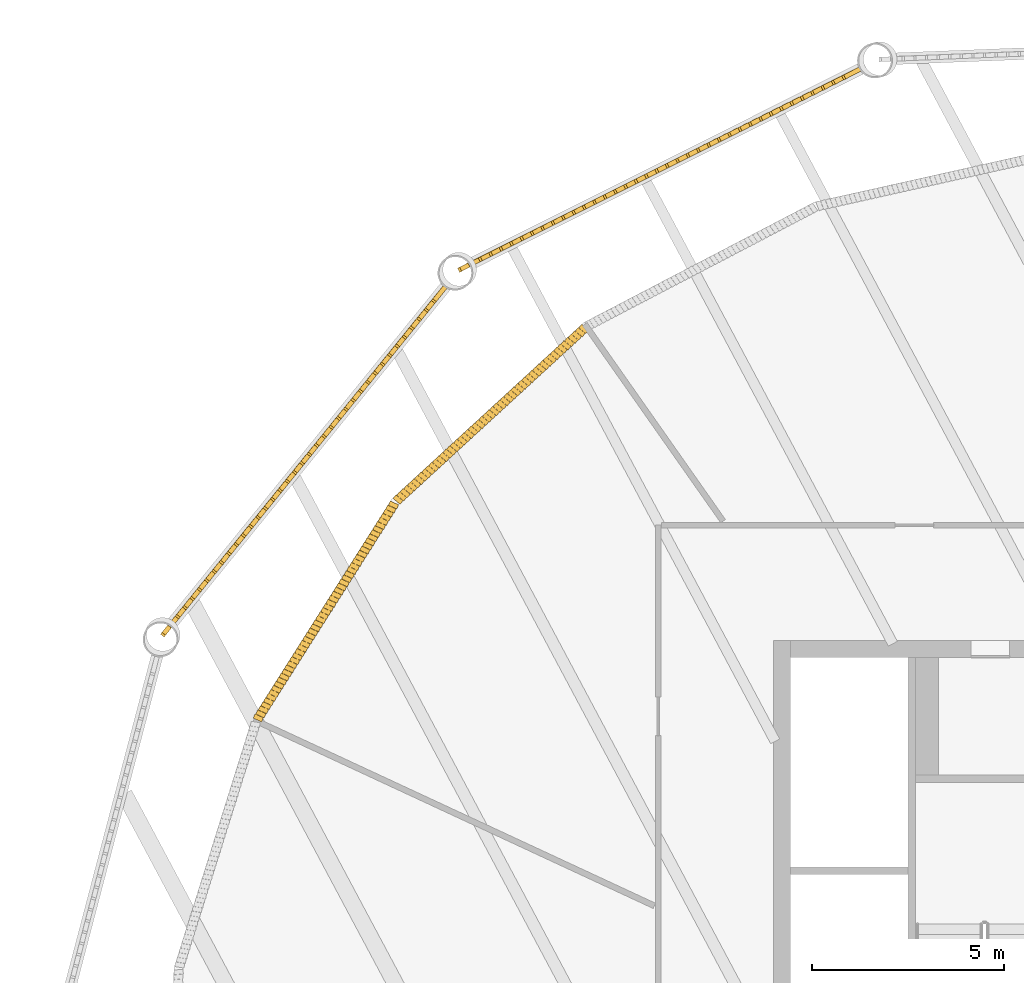
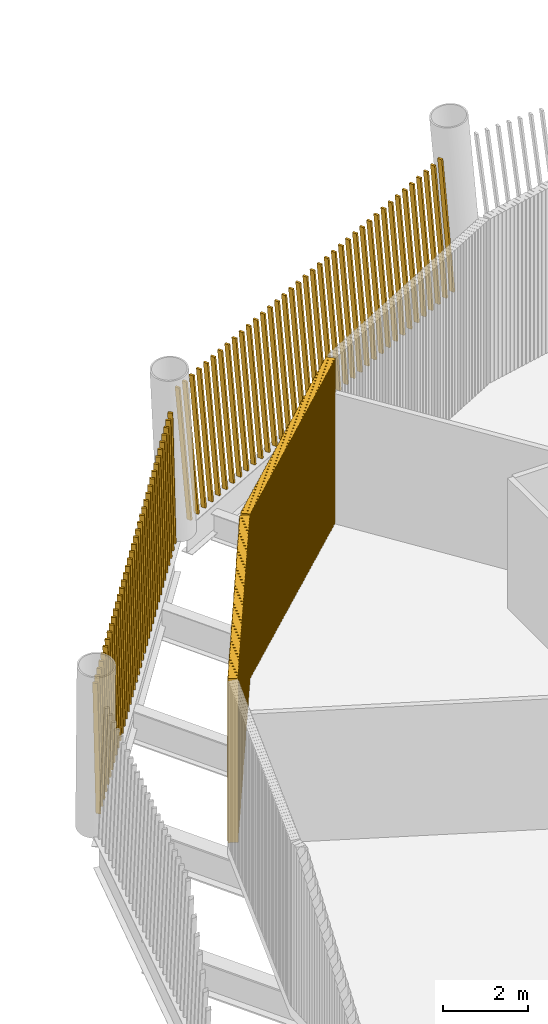
# One storey, part 15 of 21: 4 shading devices.
"""IFC4 building model written with IfcOpenShell, lengths in metres."""

from ifc_helpers import new_model, si_unit, direction, frame, frame_2d, origin, place, context, subcontext, project, spatial, rectangle, composite_profile, extrude, material, type_object, element, save


model = new_model("IFC4")

# Units and contexts
model_context = context("Model", 3, precision=1e-05, world=origin(), true_north=direction((0.0, 1.0)))
body_context = subcontext(model_context, "Body", "Model", "MODEL_VIEW")
ifc_project = project(units=[si_unit("LENGTHUNIT", "METRE"), si_unit("AREAUNIT", "SQUARE_METRE"), si_unit("VOLUMEUNIT", "CUBIC_METRE"), si_unit("PLANEANGLEUNIT", "RADIAN"), si_unit("MASSUNIT", "GRAM", prefix="KILO")], contexts=[model_context])

# Site, building, storey
site_placement = place(None, origin())
site = spatial("IfcSite", under=ifc_project, at=site_placement, CompositionType="ELEMENT")
building_placement = place(site_placement, origin())
building = spatial("IfcBuilding", under=site, at=building_placement, Name="Tarsis Ring Headquarters", CompositionType="ELEMENT")
storey_placement = place(building_placement, frame((0.0, 0.0, 398.60009765625)))
storey = spatial("IfcBuildingStorey", under=building, at=storey_placement, Name="L94", CompositionType="ELEMENT", Elevation=398.60009765625)

# Shading devices
ifc_material_1 = material(Name="Aluminium louvre", Category="aluminium")
shading_device_type_1 = type_object("IfcShadingDeviceType", Name="Plant louvre fin", PredefinedType="USERDEFINED", material=ifc_material_1)
shading_device_1_placement = place(storey_placement, frame((-14.88232421875, 21.162841796875, 0.0), z_axis=(0.0, 0.0, 1.0), x_axis=(-0.736333587592, -0.676619083942, 0.0)))
element("IfcShadingDevice", 1, at=shading_device_1_placement, inside=storey, type_object=shading_device_type_1, Name="Louvre L94-27", ObjectType="Louvre", PredefinedType="USERDEFINED", context=body_context, shape_type="SweptSolid", body=[
    extrude(composite_profile([rectangle(XDim=0.1201171875, YDim=0.239990234375, at=frame_2d((0.076171875, 0.0), x_axis=(0.990268068742, 0.13917310096))), rectangle(XDim=0.1201171875, YDim=0.239990234375, at=frame_2d((0.202392578125, 0.0), x_axis=(0.990268068742, 0.13917310096))), rectangle(XDim=0.1201171875, YDim=0.239990234375, at=frame_2d((0.328857421875, 0.0), x_axis=(0.990268068742, 0.13917310096))), rectangle(XDim=0.1201171875, YDim=0.239990234375, at=frame_2d((0.455078125, 0.0), x_axis=(0.990268068742, 0.13917310096))), rectangle(XDim=0.1201171875, YDim=0.239990234375, at=frame_2d((0.58154296875, 0.0), x_axis=(0.990268068742, 0.13917310096))), rectangle(XDim=0.1201171875, YDim=0.239990234375, at=frame_2d((0.707763671875, 0.0), x_axis=(0.990268068742, 0.13917310096))), rectangle(XDim=0.1201171875, YDim=0.239990234375, at=frame_2d((0.834228515625, 0.0), x_axis=(0.990268068742, 0.13917310096))), rectangle(XDim=0.1201171875, YDim=0.239990234375, at=frame_2d((0.96044921875, 0.0), x_axis=(0.990268068742, 0.13917310096))), rectangle(XDim=0.1201171875, YDim=0.239990234375, at=frame_2d((1.0869140625, 0.0), x_axis=(0.990268068742, 0.13917310096))), rectangle(XDim=0.1201171875, YDim=0.239990234375, at=frame_2d((1.213134765625, 0.0), x_axis=(0.990268068742, 0.13917310096))), rectangle(XDim=0.1201171875, YDim=0.239990234375, at=frame_2d((1.33935546875, 0.0), x_axis=(0.990268068742, 0.13917310096))), rectangle(XDim=0.1201171875, YDim=0.239990234375, at=frame_2d((1.4658203125, 0.0), x_axis=(0.990268068742, 0.13917310096))), rectangle(XDim=0.1201171875, YDim=0.239990234375, at=frame_2d((1.592041015625, 0.0), x_axis=(0.990268068742, 0.13917310096))), rectangle(XDim=0.1201171875, YDim=0.239990234375, at=frame_2d((1.718505859375, 0.0), x_axis=(0.990268068742, 0.13917310096))), rectangle(XDim=0.1201171875, YDim=0.239990234375, at=frame_2d((1.8447265625, 0.0), x_axis=(0.990268068742, 0.13917310096))), rectangle(XDim=0.1201171875, YDim=0.239990234375, at=frame_2d((1.97119140625, 0.0), x_axis=(0.990268068742, 0.13917310096))), rectangle(XDim=0.1201171875, YDim=0.239990234375, at=frame_2d((2.097412109375, 0.0), x_axis=(0.990268068742, 0.13917310096))), rectangle(XDim=0.1201171875, YDim=0.239990234375, at=frame_2d((2.223876953125, 0.0), x_axis=(0.990268068742, 0.13917310096))), rectangle(XDim=0.1201171875, YDim=0.239990234375, at=frame_2d((2.35009765625, 0.0), x_axis=(0.990268068742, 0.13917310096))), rectangle(XDim=0.1201171875, YDim=0.239990234375, at=frame_2d((2.476318359375, 0.0), x_axis=(0.990268068742, 0.13917310096))), rectangle(XDim=0.1201171875, YDim=0.239990234375, at=frame_2d((2.602783203125, 0.0), x_axis=(0.990268068742, 0.13917310096))), rectangle(XDim=0.1201171875, YDim=0.239990234375, at=frame_2d((2.72900390625, 0.0), x_axis=(0.990268068742, 0.13917310096))), rectangle(XDim=0.1201171875, YDim=0.239990234375, at=frame_2d((2.85546875, 0.0), x_axis=(0.990268068742, 0.13917310096))), rectangle(XDim=0.1201171875, YDim=0.239990234375, at=frame_2d((2.981689453125, 0.0), x_axis=(0.990268068742, 0.13917310096))), rectangle(XDim=0.1201171875, YDim=0.239990234375, at=frame_2d((3.108154296875, 0.0), x_axis=(0.990268068742, 0.13917310096))), rectangle(XDim=0.1201171875, YDim=0.239990234375, at=frame_2d((3.234375, 0.0), x_axis=(0.990268068742, 0.13917310096))), rectangle(XDim=0.1201171875, YDim=0.239990234375, at=frame_2d((3.36083984375, 0.0), x_axis=(0.990268068742, 0.13917310096))), rectangle(XDim=0.1201171875, YDim=0.239990234375, at=frame_2d((3.487060546875, 0.0), x_axis=(0.990268068742, 0.13917310096))), rectangle(XDim=0.1201171875, YDim=0.239990234375, at=frame_2d((3.61328125, 0.0), x_axis=(0.990268068742, 0.13917310096))), rectangle(XDim=0.1201171875, YDim=0.239990234375, at=frame_2d((3.73974609375, 0.0), x_axis=(0.990268068742, 0.13917310096))), rectangle(XDim=0.1201171875, YDim=0.239990234375, at=frame_2d((3.865966796875, 0.0), x_axis=(0.990268068742, 0.13917310096))), rectangle(XDim=0.1201171875, YDim=0.239990234375, at=frame_2d((3.992431640625, 0.0), x_axis=(0.990268068742, 0.13917310096))), rectangle(XDim=0.1201171875, YDim=0.239990234375, at=frame_2d((4.11865234375, 0.0), x_axis=(0.990268068742, 0.13917310096))), rectangle(XDim=0.1201171875, YDim=0.239990234375, at=frame_2d((4.2451171875, 0.0), x_axis=(0.990268068742, 0.13917310096))), rectangle(XDim=0.1201171875, YDim=0.239990234375, at=frame_2d((4.371337890625, 0.0), x_axis=(0.990268068742, 0.13917310096))), rectangle(XDim=0.1201171875, YDim=0.239990234375, at=frame_2d((4.49755859375, 0.0), x_axis=(0.990268068742, 0.13917310096))), rectangle(XDim=0.1201171875, YDim=0.239990234375, at=frame_2d((4.6240234375, 0.0), x_axis=(0.990268068742, 0.13917310096))), rectangle(XDim=0.1201171875, YDim=0.239990234375, at=frame_2d((4.750244140625, 0.0), x_axis=(0.990268068742, 0.13917310096))), rectangle(XDim=0.1201171875, YDim=0.239990234375, at=frame_2d((4.876708984375, 0.0), x_axis=(0.990268068742, 0.13917310096))), rectangle(XDim=0.1201171875, YDim=0.239990234375, at=frame_2d((5.0029296875, 0.0), x_axis=(0.990268068742, 0.13917310096))), rectangle(XDim=0.1201171875, YDim=0.239990234375, at=frame_2d((5.12939453125, 0.0), x_axis=(0.990268068742, 0.13917310096))), rectangle(XDim=0.1201171875, YDim=0.239990234375, at=frame_2d((5.255615234375, 0.0), x_axis=(0.990268068742, 0.13917310096))), rectangle(XDim=0.1201171875, YDim=0.239990234375, at=frame_2d((5.382080078125, 0.0), x_axis=(0.990268068742, 0.13917310096))), rectangle(XDim=0.1201171875, YDim=0.239990234375, at=frame_2d((5.50830078125, 0.0), x_axis=(0.990268068742, 0.13917310096))), rectangle(XDim=0.1201171875, YDim=0.239990234375, at=frame_2d((5.634521484375, 0.0), x_axis=(0.990268068742, 0.13917310096))), rectangle(XDim=0.1201171875, YDim=0.239990234375, at=frame_2d((5.760986328125, 0.0), x_axis=(0.990268068742, 0.13917310096))), rectangle(XDim=0.1201171875, YDim=0.239990234375, at=frame_2d((5.88720703125, 0.0), x_axis=(0.990268068742, 0.13917310096))), rectangle(XDim=0.1201171875, YDim=0.239990234375, at=frame_2d((6.013671875, 0.0), x_axis=(0.990268068742, 0.13917310096))), rectangle(XDim=0.1201171875, YDim=0.239990234375, at=frame_2d((6.139892578125, 0.0), x_axis=(0.990268068742, 0.13917310096))), rectangle(XDim=0.1201171875, YDim=0.239990234375, at=frame_2d((6.266357421875, 0.0), x_axis=(0.990268068742, 0.13917310096))), rectangle(XDim=0.1201171875, YDim=0.239990234375, at=frame_2d((6.392578125, 0.0), x_axis=(0.990268068742, 0.13917310096))), rectangle(XDim=0.1201171875, YDim=0.239990234375, at=frame_2d((6.51904296875, 0.0), x_axis=(0.990268068742, 0.13917310096))), rectangle(XDim=0.1201171875, YDim=0.239990234375, at=frame_2d((6.645263671875, 0.0), x_axis=(0.990268068742, 0.13917310096)))]), origin(), (0.0, 0.0, 1.0), 4.699951171875),
])
shading_device_2_placement = place(storey_placement, frame((-19.8525390625, 16.58984375, 0.0), z_axis=(0.0, 0.0, 1.0), x_axis=(-0.536122915986, -0.844139333842, 0.0)))
element("IfcShadingDevice", 2, at=shading_device_2_placement, inside=storey, type_object=shading_device_type_1, Name="Louvre L94-28", ObjectType="Louvre", PredefinedType="USERDEFINED", context=body_context, shape_type="SweptSolid", body=[
    extrude(composite_profile([rectangle(XDim=0.1201171875, YDim=0.239990234375, at=frame_2d((0.076171875, 0.0), x_axis=(0.990268068742, 0.13917310096))), rectangle(XDim=0.1201171875, YDim=0.239990234375, at=frame_2d((0.202392578125, 0.0), x_axis=(0.990268068742, 0.13917310096))), rectangle(XDim=0.1201171875, YDim=0.239990234375, at=frame_2d((0.328857421875, 0.0), x_axis=(0.990268068742, 0.13917310096))), rectangle(XDim=0.1201171875, YDim=0.239990234375, at=frame_2d((0.455078125, 0.0), x_axis=(0.990268068742, 0.13917310096))), rectangle(XDim=0.1201171875, YDim=0.239990234375, at=frame_2d((0.58154296875, 0.0), x_axis=(0.990268068742, 0.13917310096))), rectangle(XDim=0.1201171875, YDim=0.239990234375, at=frame_2d((0.707763671875, 0.0), x_axis=(0.990268068742, 0.13917310096))), rectangle(XDim=0.1201171875, YDim=0.239990234375, at=frame_2d((0.834228515625, 0.0), x_axis=(0.990268068742, 0.13917310096))), rectangle(XDim=0.1201171875, YDim=0.239990234375, at=frame_2d((0.96044921875, 0.0), x_axis=(0.990268068742, 0.13917310096))), rectangle(XDim=0.1201171875, YDim=0.239990234375, at=frame_2d((1.0869140625, 0.0), x_axis=(0.990268068742, 0.13917310096))), rectangle(XDim=0.1201171875, YDim=0.239990234375, at=frame_2d((1.213134765625, 0.0), x_axis=(0.990268068742, 0.13917310096))), rectangle(XDim=0.1201171875, YDim=0.239990234375, at=frame_2d((1.33935546875, 0.0), x_axis=(0.990268068742, 0.13917310096))), rectangle(XDim=0.1201171875, YDim=0.239990234375, at=frame_2d((1.4658203125, 0.0), x_axis=(0.990268068742, 0.13917310096))), rectangle(XDim=0.1201171875, YDim=0.239990234375, at=frame_2d((1.592041015625, 0.0), x_axis=(0.990268068742, 0.13917310096))), rectangle(XDim=0.1201171875, YDim=0.239990234375, at=frame_2d((1.718505859375, 0.0), x_axis=(0.990268068742, 0.13917310096))), rectangle(XDim=0.1201171875, YDim=0.239990234375, at=frame_2d((1.8447265625, 0.0), x_axis=(0.990268068742, 0.13917310096))), rectangle(XDim=0.1201171875, YDim=0.239990234375, at=frame_2d((1.97119140625, 0.0), x_axis=(0.990268068742, 0.13917310096))), rectangle(XDim=0.1201171875, YDim=0.239990234375, at=frame_2d((2.097412109375, 0.0), x_axis=(0.990268068742, 0.13917310096))), rectangle(XDim=0.1201171875, YDim=0.239990234375, at=frame_2d((2.223876953125, 0.0), x_axis=(0.990268068742, 0.13917310096))), rectangle(XDim=0.1201171875, YDim=0.239990234375, at=frame_2d((2.35009765625, 0.0), x_axis=(0.990268068742, 0.13917310096))), rectangle(XDim=0.1201171875, YDim=0.239990234375, at=frame_2d((2.476318359375, 0.0), x_axis=(0.990268068742, 0.13917310096))), rectangle(XDim=0.1201171875, YDim=0.239990234375, at=frame_2d((2.602783203125, 0.0), x_axis=(0.990268068742, 0.13917310096))), rectangle(XDim=0.1201171875, YDim=0.239990234375, at=frame_2d((2.72900390625, 0.0), x_axis=(0.990268068742, 0.13917310096))), rectangle(XDim=0.1201171875, YDim=0.239990234375, at=frame_2d((2.85546875, 0.0), x_axis=(0.990268068742, 0.13917310096))), rectangle(XDim=0.1201171875, YDim=0.239990234375, at=frame_2d((2.981689453125, 0.0), x_axis=(0.990268068742, 0.13917310096))), rectangle(XDim=0.1201171875, YDim=0.239990234375, at=frame_2d((3.108154296875, 0.0), x_axis=(0.990268068742, 0.13917310096))), rectangle(XDim=0.1201171875, YDim=0.239990234375, at=frame_2d((3.234375, 0.0), x_axis=(0.990268068742, 0.13917310096))), rectangle(XDim=0.1201171875, YDim=0.239990234375, at=frame_2d((3.36083984375, 0.0), x_axis=(0.990268068742, 0.13917310096))), rectangle(XDim=0.1201171875, YDim=0.239990234375, at=frame_2d((3.487060546875, 0.0), x_axis=(0.990268068742, 0.13917310096))), rectangle(XDim=0.1201171875, YDim=0.239990234375, at=frame_2d((3.61328125, 0.0), x_axis=(0.990268068742, 0.13917310096))), rectangle(XDim=0.1201171875, YDim=0.239990234375, at=frame_2d((3.73974609375, 0.0), x_axis=(0.990268068742, 0.13917310096))), rectangle(XDim=0.1201171875, YDim=0.239990234375, at=frame_2d((3.865966796875, 0.0), x_axis=(0.990268068742, 0.13917310096))), rectangle(XDim=0.1201171875, YDim=0.239990234375, at=frame_2d((3.992431640625, 0.0), x_axis=(0.990268068742, 0.13917310096))), rectangle(XDim=0.1201171875, YDim=0.239990234375, at=frame_2d((4.11865234375, 0.0), x_axis=(0.990268068742, 0.13917310096))), rectangle(XDim=0.1201171875, YDim=0.239990234375, at=frame_2d((4.2451171875, 0.0), x_axis=(0.990268068742, 0.13917310096))), rectangle(XDim=0.1201171875, YDim=0.239990234375, at=frame_2d((4.371337890625, 0.0), x_axis=(0.990268068742, 0.13917310096))), rectangle(XDim=0.1201171875, YDim=0.239990234375, at=frame_2d((4.49755859375, 0.0), x_axis=(0.990268068742, 0.13917310096))), rectangle(XDim=0.1201171875, YDim=0.239990234375, at=frame_2d((4.6240234375, 0.0), x_axis=(0.990268068742, 0.13917310096))), rectangle(XDim=0.1201171875, YDim=0.239990234375, at=frame_2d((4.750244140625, 0.0), x_axis=(0.990268068742, 0.13917310096))), rectangle(XDim=0.1201171875, YDim=0.239990234375, at=frame_2d((4.876708984375, 0.0), x_axis=(0.990268068742, 0.13917310096))), rectangle(XDim=0.1201171875, YDim=0.239990234375, at=frame_2d((5.0029296875, 0.0), x_axis=(0.990268068742, 0.13917310096))), rectangle(XDim=0.1201171875, YDim=0.239990234375, at=frame_2d((5.12939453125, 0.0), x_axis=(0.990268068742, 0.13917310096))), rectangle(XDim=0.1201171875, YDim=0.239990234375, at=frame_2d((5.255615234375, 0.0), x_axis=(0.990268068742, 0.13917310096))), rectangle(XDim=0.1201171875, YDim=0.239990234375, at=frame_2d((5.382080078125, 0.0), x_axis=(0.990268068742, 0.13917310096))), rectangle(XDim=0.1201171875, YDim=0.239990234375, at=frame_2d((5.50830078125, 0.0), x_axis=(0.990268068742, 0.13917310096))), rectangle(XDim=0.1201171875, YDim=0.239990234375, at=frame_2d((5.634521484375, 0.0), x_axis=(0.990268068742, 0.13917310096))), rectangle(XDim=0.1201171875, YDim=0.239990234375, at=frame_2d((5.760986328125, 0.0), x_axis=(0.990268068742, 0.13917310096))), rectangle(XDim=0.1201171875, YDim=0.239990234375, at=frame_2d((5.88720703125, 0.0), x_axis=(0.990268068742, 0.13917310096))), rectangle(XDim=0.1201171875, YDim=0.239990234375, at=frame_2d((6.013671875, 0.0), x_axis=(0.990268068742, 0.13917310096))), rectangle(XDim=0.1201171875, YDim=0.239990234375, at=frame_2d((6.139892578125, 0.0), x_axis=(0.990268068742, 0.13917310096))), rectangle(XDim=0.1201171875, YDim=0.239990234375, at=frame_2d((6.266357421875, 0.0), x_axis=(0.990268068742, 0.13917310096))), rectangle(XDim=0.1201171875, YDim=0.239990234375, at=frame_2d((6.392578125, 0.0), x_axis=(0.990268068742, 0.13917310096))), rectangle(XDim=0.1201171875, YDim=0.239990234375, at=frame_2d((6.51904296875, 0.0), x_axis=(0.990268068742, 0.13917310096))), rectangle(XDim=0.1201171875, YDim=0.239990234375, at=frame_2d((6.645263671875, 0.0), x_axis=(0.990268068742, 0.13917310096)))]), origin(), (0.0, 0.0, 1.0), 4.699951171875),
])
ifc_material_2 = material(Name="Terracotta baguette", Category="masonry")
shading_device_type_2 = type_object("IfcShadingDeviceType", Name="Terracotta baguette screen", PredefinedType="USERDEFINED", material=ifc_material_2)
shading_device_3_placement = place(storey_placement, frame((-7.68212890625, 27.9091796875, 0.0), z_axis=(0.0, 0.0, 1.0), x_axis=(-0.894196544839, -0.447651705877, 0.0)))
element("IfcShadingDevice", 3, at=shading_device_3_placement, inside=storey, type_object=shading_device_type_2, Name="Baguette screen L94-10", ObjectType="Terracotta baguette screen", PredefinedType="USERDEFINED", context=body_context, shape_type="SweptSolid", body=[
    extrude(composite_profile([rectangle(XDim=0.06005859375, YDim=0.1201171875, at=frame_2d((0.030029296875, 0.0))), rectangle(XDim=0.06005859375, YDim=0.1201171875, at=frame_2d((0.33251953125, 0.0))), rectangle(XDim=0.06005859375, YDim=0.1201171875, at=frame_2d((0.634765625, 0.0))), rectangle(XDim=0.06005859375, YDim=0.1201171875, at=frame_2d((0.937255859375, 0.0))), rectangle(XDim=0.06005859375, YDim=0.1201171875, at=frame_2d((1.239501953125, 0.0))), rectangle(XDim=0.06005859375, YDim=0.1201171875, at=frame_2d((1.5419921875, 0.0))), rectangle(XDim=0.06005859375, YDim=0.1201171875, at=frame_2d((1.844482421875, 0.0))), rectangle(XDim=0.06005859375, YDim=0.1201171875, at=frame_2d((2.146728515625, 0.0))), rectangle(XDim=0.06005859375, YDim=0.1201171875, at=frame_2d((2.44921875, 0.0))), rectangle(XDim=0.06005859375, YDim=0.1201171875, at=frame_2d((2.751708984375, 0.0))), rectangle(XDim=0.06005859375, YDim=0.1201171875, at=frame_2d((3.053955078125, 0.0))), rectangle(XDim=0.06005859375, YDim=0.1201171875, at=frame_2d((3.3564453125, 0.0))), rectangle(XDim=0.06005859375, YDim=0.1201171875, at=frame_2d((3.65869140625, 0.0))), rectangle(XDim=0.06005859375, YDim=0.1201171875, at=frame_2d((3.961181640625, 0.0))), rectangle(XDim=0.06005859375, YDim=0.1201171875, at=frame_2d((4.263671875, 0.0))), rectangle(XDim=0.06005859375, YDim=0.1201171875, at=frame_2d((4.56591796875, 0.0))), rectangle(XDim=0.06005859375, YDim=0.1201171875, at=frame_2d((4.868408203125, 0.0))), rectangle(XDim=0.06005859375, YDim=0.1201171875, at=frame_2d((5.1708984375, 0.0))), rectangle(XDim=0.06005859375, YDim=0.1201171875, at=frame_2d((5.47314453125, 0.0))), rectangle(XDim=0.06005859375, YDim=0.1201171875, at=frame_2d((5.775634765625, 0.0))), rectangle(XDim=0.06005859375, YDim=0.1201171875, at=frame_2d((6.077880859375, 0.0))), rectangle(XDim=0.06005859375, YDim=0.1201171875, at=frame_2d((6.38037109375, 0.0))), rectangle(XDim=0.06005859375, YDim=0.1201171875, at=frame_2d((6.682861328125, 0.0))), rectangle(XDim=0.06005859375, YDim=0.1201171875, at=frame_2d((6.985107421875, 0.0))), rectangle(XDim=0.06005859375, YDim=0.1201171875, at=frame_2d((7.28759765625, 0.0))), rectangle(XDim=0.06005859375, YDim=0.1201171875, at=frame_2d((7.590087890625, 0.0))), rectangle(XDim=0.06005859375, YDim=0.1201171875, at=frame_2d((7.892333984375, 0.0))), rectangle(XDim=0.06005859375, YDim=0.1201171875, at=frame_2d((8.19482421875, 0.0))), rectangle(XDim=0.06005859375, YDim=0.1201171875, at=frame_2d((8.4970703125, 0.0))), rectangle(XDim=0.06005859375, YDim=0.1201171875, at=frame_2d((8.799560546875, 0.0))), rectangle(XDim=0.06005859375, YDim=0.1201171875, at=frame_2d((9.10205078125, 0.0))), rectangle(XDim=0.06005859375, YDim=0.1201171875, at=frame_2d((9.404296875, 0.0))), rectangle(XDim=0.06005859375, YDim=0.1201171875, at=frame_2d((9.706787109375, 0.0))), rectangle(XDim=0.06005859375, YDim=0.1201171875, at=frame_2d((10.00927734375, 0.0))), rectangle(XDim=0.06005859375, YDim=0.1201171875, at=frame_2d((10.3115234375, 0.0))), rectangle(XDim=0.06005859375, YDim=0.1201171875, at=frame_2d((10.614013671875, 0.0))), rectangle(XDim=0.06005859375, YDim=0.1201171875, at=frame_2d((10.916259765625, 0.0))), rectangle(XDim=0.06005859375, YDim=0.1201171875, at=frame_2d((11.21875, 0.0)))]), origin(), (0.124851456803, 0.001133786435, 0.992174797232), 4.1279296875),
])
shading_device_4_placement = place(storey_placement, frame((-18.503173828125, 22.261474609375, 0.0), z_axis=(0.0, 0.0, 1.0), x_axis=(-0.630189907759, -0.776451437873, 0.0)))
element("IfcShadingDevice", 4, at=shading_device_4_placement, inside=storey, type_object=shading_device_type_2, Name="Baguette screen L94-11", ObjectType="Terracotta baguette screen", PredefinedType="USERDEFINED", context=body_context, shape_type="SweptSolid", body=[
    extrude(composite_profile([rectangle(XDim=0.06005859375, YDim=0.1201171875, at=frame_2d((0.030029296875, 0.0))), rectangle(XDim=0.06005859375, YDim=0.1201171875, at=frame_2d((0.33251953125, 0.0))), rectangle(XDim=0.06005859375, YDim=0.1201171875, at=frame_2d((0.634765625, 0.0))), rectangle(XDim=0.06005859375, YDim=0.1201171875, at=frame_2d((0.937255859375, 0.0))), rectangle(XDim=0.06005859375, YDim=0.1201171875, at=frame_2d((1.239501953125, 0.0))), rectangle(XDim=0.06005859375, YDim=0.1201171875, at=frame_2d((1.5419921875, 0.0))), rectangle(XDim=0.06005859375, YDim=0.1201171875, at=frame_2d((1.844482421875, 0.0))), rectangle(XDim=0.06005859375, YDim=0.1201171875, at=frame_2d((2.146728515625, 0.0))), rectangle(XDim=0.06005859375, YDim=0.1201171875, at=frame_2d((2.44921875, 0.0))), rectangle(XDim=0.06005859375, YDim=0.1201171875, at=frame_2d((2.751708984375, 0.0))), rectangle(XDim=0.06005859375, YDim=0.1201171875, at=frame_2d((3.053955078125, 0.0))), rectangle(XDim=0.06005859375, YDim=0.1201171875, at=frame_2d((3.3564453125, 0.0))), rectangle(XDim=0.06005859375, YDim=0.1201171875, at=frame_2d((3.65869140625, 0.0))), rectangle(XDim=0.06005859375, YDim=0.1201171875, at=frame_2d((3.961181640625, 0.0))), rectangle(XDim=0.06005859375, YDim=0.1201171875, at=frame_2d((4.263671875, 0.0))), rectangle(XDim=0.06005859375, YDim=0.1201171875, at=frame_2d((4.56591796875, 0.0))), rectangle(XDim=0.06005859375, YDim=0.1201171875, at=frame_2d((4.868408203125, 0.0))), rectangle(XDim=0.06005859375, YDim=0.1201171875, at=frame_2d((5.1708984375, 0.0))), rectangle(XDim=0.06005859375, YDim=0.1201171875, at=frame_2d((5.47314453125, 0.0))), rectangle(XDim=0.06005859375, YDim=0.1201171875, at=frame_2d((5.775634765625, 0.0))), rectangle(XDim=0.06005859375, YDim=0.1201171875, at=frame_2d((6.077880859375, 0.0))), rectangle(XDim=0.06005859375, YDim=0.1201171875, at=frame_2d((6.38037109375, 0.0))), rectangle(XDim=0.06005859375, YDim=0.1201171875, at=frame_2d((6.682861328125, 0.0))), rectangle(XDim=0.06005859375, YDim=0.1201171875, at=frame_2d((6.985107421875, 0.0))), rectangle(XDim=0.06005859375, YDim=0.1201171875, at=frame_2d((7.28759765625, 0.0))), rectangle(XDim=0.06005859375, YDim=0.1201171875, at=frame_2d((7.590087890625, 0.0))), rectangle(XDim=0.06005859375, YDim=0.1201171875, at=frame_2d((7.892333984375, 0.0))), rectangle(XDim=0.06005859375, YDim=0.1201171875, at=frame_2d((8.19482421875, 0.0))), rectangle(XDim=0.06005859375, YDim=0.1201171875, at=frame_2d((8.4970703125, 0.0))), rectangle(XDim=0.06005859375, YDim=0.1201171875, at=frame_2d((8.799560546875, 0.0))), rectangle(XDim=0.06005859375, YDim=0.1201171875, at=frame_2d((9.10205078125, 0.0))), rectangle(XDim=0.06005859375, YDim=0.1201171875, at=frame_2d((9.404296875, 0.0))), rectangle(XDim=0.06005859375, YDim=0.1201171875, at=frame_2d((9.706787109375, 0.0))), rectangle(XDim=0.06005859375, YDim=0.1201171875, at=frame_2d((10.00927734375, 0.0))), rectangle(XDim=0.06005859375, YDim=0.1201171875, at=frame_2d((10.3115234375, 0.0))), rectangle(XDim=0.06005859375, YDim=0.1201171875, at=frame_2d((10.614013671875, 0.0))), rectangle(XDim=0.06005859375, YDim=0.1201171875, at=frame_2d((10.916259765625, 0.0))), rectangle(XDim=0.06005859375, YDim=0.1201171875, at=frame_2d((11.21875, 0.0)))]), origin(), (0.124853402171, 0.001133147896, 0.992174553162), 4.1279296875),
])

save(model, "model.ifc")
